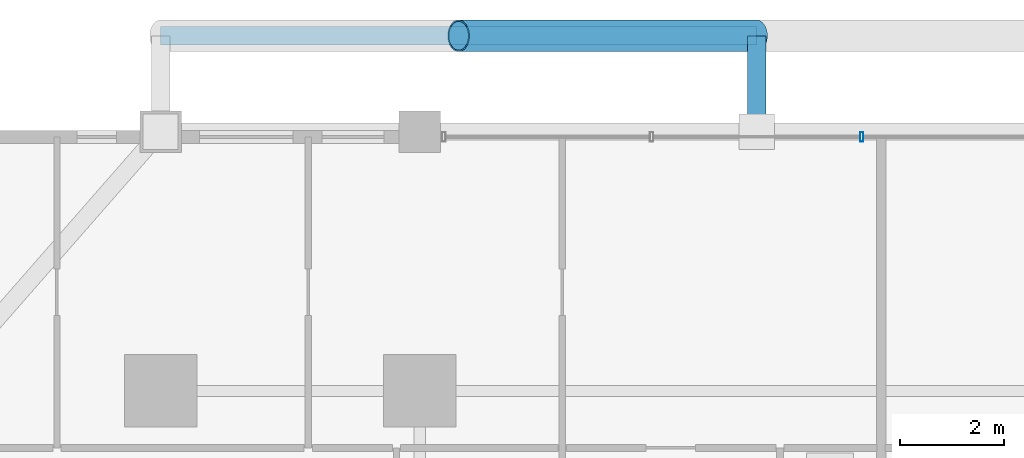
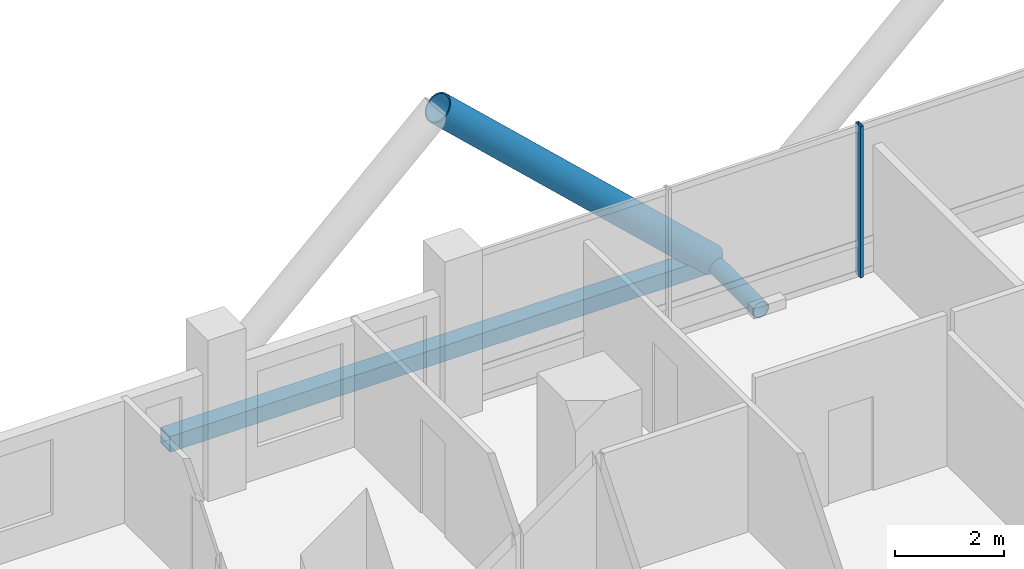
# One storey, part 16 of 27: 4 members, 1 element without a shape of its own.
"""IFC4 building model written with IfcOpenShell, lengths in metres."""

import ifcopenshell
import ifcopenshell.guid

model = None  # the IFC model being written
_history = None  # IfcOwnerHistory: only IFC2X3 demands one
_inside = {}  # id of a spatial element -> (the spatial element, [elements in it])
_under = {}  # id of a project, library or spatial element -> (it, [spatial elements below it])
_declared = {}  # id of a project -> (the project, [libraries it declares])
_typed = {}  # id of a type object -> (the type object, [elements of that type])
_made_of = {}  # id of a material, layer set ... -> (it, [elements and type objects made of it])


def new_model(schema):
    """Start an empty IFC model of exactly this schema.

    Asked for "IFC4X3", IfcOpenShell would pick the latest addendum, in which some entities
    have other attributes; the version numbers below select the first issue.
    IFC2X3 requires an IfcOwnerHistory on every rooted entity: one is made here for all.
    """
    global model, _history
    if schema == "IFC4X3":
        model = ifcopenshell.file(schema_version=(4, 3, 0, 0))
    else:
        model = ifcopenshell.file(schema=schema)
    _inside.clear()
    _under.clear()
    _declared.clear()
    _typed.clear()
    _made_of.clear()
    _history = None
    if model.schema == "IFC2X3":
        org = make("IfcOrganization", Name="unknown")
        user = make(
            "IfcPersonAndOrganization",
            ThePerson=make("IfcPerson", FamilyName="unknown"),
            TheOrganization=org,
        )
        app = make(
            "IfcApplication",
            ApplicationDeveloper=org,
            Version="unknown",
            ApplicationFullName="unknown",
            ApplicationIdentifier="unknown",
        )
        _history = make(
            "IfcOwnerHistory",
            OwningUser=user,
            OwningApplication=app,
            ChangeAction="ADDED",
            CreationDate=0,
        )
    return model


def make(cls, **values):
    """One entity of the class cls with the attributes given. An attribute that is None is left unset."""
    return model.create_entity(
        cls, **{name: value for name, value in values.items() if value is not None}
    )


def rooted(cls, **values):
    """An entity with a GlobalId (a new one), such as an element, a storey or a relation."""
    return make(cls, GlobalId=ifcopenshell.guid.new(), OwnerHistory=_history, **values)


def si_unit(unit_type, name, prefix=None):
    """IfcSIUnit, for example si_unit("LENGTHUNIT", "METRE", prefix="MILLI")."""
    return make("IfcSIUnit", UnitType=unit_type, Prefix=prefix, Name=name)


def assignment(units):
    """IfcUnitAssignment: the units of a project."""
    return None if units is None else make("IfcUnitAssignment", Units=units)


def point(xyz):
    """IfcCartesianPoint."""
    return None if xyz is None else make("IfcCartesianPoint", Coordinates=xyz)


def direction(xyz):
    """IfcDirection."""
    return None if xyz is None else make("IfcDirection", DirectionRatios=xyz)


def frame(location, z_axis=None, x_axis=None):
    """IfcAxis2Placement3D, a coordinate frame: its origin and axes. An axis left out is left unset."""
    return make(
        "IfcAxis2Placement3D",
        Location=point(location),
        Axis=direction(z_axis),
        RefDirection=direction(x_axis),
    )


def frame_2d(location, x_axis=None):
    """IfcAxis2Placement2D, a coordinate frame in the plane: its origin and x axis."""
    return make(
        "IfcAxis2Placement2D", Location=point(location), RefDirection=direction(x_axis)
    )


def origin():
    """The frame at (0, 0, 0) with its axes left unset."""
    return frame((0.0, 0.0, 0.0))


def origin_2d():
    """The frame at (0, 0) in the plane with its x axis left unset."""
    return frame_2d((0.0, 0.0))


def place(relative_to, where):
    """IfcLocalPlacement: puts the frame where relative to a parent placement (None: the world)."""
    return make(
        "IfcLocalPlacement", PlacementRelTo=relative_to, RelativePlacement=where
    )


def context(
    kind, dimensions, precision=None, world=None, true_north=None, identifier=None
):
    """IfcGeometricRepresentationContext, for example the 3D "Model" context."""
    return make(
        "IfcGeometricRepresentationContext",
        ContextIdentifier=identifier,
        ContextType=kind,
        CoordinateSpaceDimension=dimensions,
        Precision=precision,
        WorldCoordinateSystem=world,
        TrueNorth=true_north,
    )


def subcontext(parent, identifier, kind, view, scale=None):
    """IfcGeometricRepresentationSubContext, for example "Body" below "Model"."""
    return make(
        "IfcGeometricRepresentationSubContext",
        ContextIdentifier=identifier,
        ContextType=kind,
        ParentContext=parent,
        TargetScale=scale,
        TargetView=view,
    )


def project(units=None, contexts=None):
    """IfcProject with its units and contexts."""
    return rooted(
        "IfcProject",
        Name="project",
        RepresentationContexts=contexts,
        UnitsInContext=assignment(units),
    )


def spatial(cls, under=None, at=None, **own):
    """A site, building, storey or space (cls), placed at a placement, below another one or the project."""
    s = rooted(cls, ObjectPlacement=at, **own)
    if under is not None:
        _under.setdefault(under.id(), (under, []))[1].append(s)
    return s


def profile(cls, at=None, kind="AREA", **sizes):
    """A parametric profile (cls). Its sizes go by their IFC names, for example OverallWidth=200.0."""
    return make(cls, ProfileType=kind, Position=at, **sizes)


def hollow_rectangle(**sizes):
    """IfcRectangleHollowProfileDef."""
    return profile("IfcRectangleHollowProfileDef", **sizes)


def hollow_circle(**sizes):
    """IfcCircleHollowProfileDef."""
    return profile("IfcCircleHollowProfileDef", **sizes)


def extrude(swept, where, along, depth):
    """IfcExtrudedAreaSolid: the profile swept, set in the frame where, extruded along a direction by depth."""
    return make(
        "IfcExtrudedAreaSolid",
        SweptArea=swept,
        Position=where,
        ExtrudedDirection=direction(along),
        Depth=depth,
    )


def shape(context_of_items, identifier, shape_type, items):
    """IfcShapeRepresentation: the items that make up one representation, for example the "Body"."""
    return make(
        "IfcShapeRepresentation",
        ContextOfItems=context_of_items,
        RepresentationIdentifier=identifier,
        RepresentationType=shape_type,
        Items=items,
    )


def material(Name=None, Category=None):
    """IfcMaterial."""
    return make("IfcMaterial", Name=Name, Category=Category)


def layer(
    of_material, thickness, ventilated=None, Name=None, Category=None, Priority=None
):
    """IfcMaterialLayer: one layer of a wall or slab, of a material (None: an air gap)."""
    return make(
        "IfcMaterialLayer",
        Material=of_material,
        LayerThickness=thickness,
        IsVentilated=ventilated,
        Name=Name,
        Category=Category,
        Priority=Priority,
    )


def layer_set(layers, Name=None):
    """IfcMaterialLayerSet."""
    return make("IfcMaterialLayerSet", MaterialLayers=layers, LayerSetName=Name)


def material_profile(
    of_material, cross_section, Name=None, Category=None, Priority=None
):
    """IfcMaterialProfile: a cross section and its material."""
    return make(
        "IfcMaterialProfile",
        Name=Name,
        Material=of_material,
        Profile=cross_section,
        Priority=Priority,
        Category=Category,
    )


def profile_set(profiles, Name=None, composite=None):
    """IfcMaterialProfileSet."""
    return make(
        "IfcMaterialProfileSet",
        Name=Name,
        MaterialProfiles=profiles,
        CompositeProfile=composite,
    )


def made_of(thing, what):
    """Note that an element or type object is made of a material, layer set ...; save() writes the relation."""
    if what is not None:
        _made_of.setdefault(what.id(), (what, []))[1].append(thing)
    return thing


def type_object(cls, material=None, **own):
    """A type object (cls), such as IfcWallType, which elements share."""
    return made_of(rooted(cls, **own), material)


def element(
    cls,
    number,
    at=None,
    inside=None,
    cuts=None,
    type_object=None,
    material=None,
    context=None,
    identifier="Body",
    shape_type=None,
    held_by="IfcProductDefinitionShape",
    body=None,
    shapes=None,
    **own,
):
    """One element of the class cls, such as IfcWall. Its Tag is "e" and its number.

    at: its placement. inside: the storey or other place that contains it. cuts: it is an
    opening in that element (IfcRelVoidsElement). A single representation is given by context,
    identifier, shape_type and body (its items); several are given by shapes. held_by: the class
    of the entity that holds the representations. save() writes the other relations.
    """
    e = rooted(cls, Tag="e%d" % number, ObjectPlacement=at, **own)
    if body is not None:
        shapes = [shape(context, identifier, shape_type, body)]
    if shapes is not None:
        e.Representation = make(held_by, Representations=shapes)
    if inside is not None:
        _inside.setdefault(inside.id(), (inside, []))[1].append(e)
    if cuts is not None:
        rooted(
            "IfcRelVoidsElement", RelatingBuildingElement=cuts, RelatedOpeningElement=e
        )
    if type_object is not None:
        _typed.setdefault(type_object.id(), (type_object, []))[1].append(e)
    return made_of(e, material)


def aggregate(whole, parts):
    """IfcRelAggregates: a whole, such as a stair, and the parts it consists of."""
    return rooted("IfcRelAggregates", RelatingObject=whole, RelatedObjects=parts)


def save(model, path):
    """Write the relations noted so far, then the file.

    IfcRelAggregates (storeys below a building ...), IfcRelContainedInSpatialStructure (elements
    in a storey), IfcRelDefinesByType, IfcRelAssociatesMaterial and IfcRelDeclares: one each for
    every whole, place, type object, material and project.
    """
    for whole, parts in _under.values():
        aggregate(whole, parts)
    for where, things in _inside.values():
        rooted(
            "IfcRelContainedInSpatialStructure",
            RelatedElements=things,
            RelatingStructure=where,
        )
    for kind, things in _typed.values():
        rooted("IfcRelDefinesByType", RelatedObjects=things, RelatingType=kind)
    for what, things in _made_of.values():
        rooted("IfcRelAssociatesMaterial", RelatedObjects=things, RelatingMaterial=what)
    for by, libraries in _declared.values():
        rooted("IfcRelDeclares", RelatingContext=by, RelatedDefinitions=libraries)
    model.write(path)


model = new_model("IFC4")

# Units and contexts
model_context = context("Model", 3, precision=1e-05, world=origin(), true_north=direction((0.0, 1.0)))
body_context = subcontext(model_context, "Body", "Model", "MODEL_VIEW")
ifc_project = project(units=[si_unit("LENGTHUNIT", "METRE"), si_unit("AREAUNIT", "SQUARE_METRE"), si_unit("VOLUMEUNIT", "CUBIC_METRE"), si_unit("PLANEANGLEUNIT", "RADIAN"), si_unit("MASSUNIT", "GRAM", prefix="KILO")], contexts=[model_context])

# Site, building, storey
site_placement = place(None, origin())
site = spatial("IfcSite", under=ifc_project, at=site_placement, CompositionType="ELEMENT")
building_placement = place(site_placement, origin())
building = spatial("IfcBuilding", under=site, at=building_placement, Name="Barlavira Tower and Art Museum", CompositionType="ELEMENT")
storey_placement = place(building_placement, frame((0.0, 0.0, 61.199951171875)))
storey = spatial("IfcBuildingStorey", under=building, at=storey_placement, Name="L14", CompositionType="ELEMENT", Elevation=61.199951171875)

# Curtain wall, member
ifc_material_1 = material(Name="Low-iron coastal laminated glass", Category="glass")
ifc_layer = layer(ifc_material_1, 0.179931640625, Name="Low-iron coastal laminated glass")
ifc_layer_set = layer_set([ifc_layer], Name="Low-iron coastal laminated glass")
curtain_wall_type = type_object("IfcCurtainWallType", Name="Pale-Metal Unitised Curtain Wall Zone 1", PredefinedType="NOTDEFINED", material=ifc_layer_set)
curtain_wall_placement = place(storey_placement, origin())
curtain_wall = element("IfcCurtainWall", 1, at=curtain_wall_placement, inside=storey, type_object=curtain_wall_type, Name="L14 Curtain Wall CW1-L14-N-B3", PredefinedType="NOTDEFINED")
ifc_material_2 = material(Name="Pale anodised aluminium", Category="aluminium")
ifc_material_profile_1 = material_profile(ifc_material_2, hollow_rectangle(XDim=0.06494140625, YDim=0.179931640625, WallThickness=0.00390625, at=origin_2d()), Name="ALU-MULL 65x180x4")
ifc_profile_set_1 = profile_set([ifc_material_profile_1], Name="Pale anodised aluminium")
member_type_1 = type_object("IfcMemberType", Name="Curtain Wall Pale-Metal Mullion 65x180", PredefinedType="MULLION", material=ifc_profile_set_1)
member_1_placement = place(storey_placement, frame((2.026611328125, 24.89990234375, 0.0), z_axis=(0.0, 0.0, 1.0), x_axis=(-1.0, 0.0, 0.0)))
member_1 = element("IfcMember", 2, at=member_1_placement, type_object=member_type_1, Name="CW1-L14-N-B3 Mullion 1", PredefinedType="MULLION", context=body_context, shape_type="SweptSolid", body=[
    extrude(hollow_rectangle(XDim=0.06494140625, YDim=0.179931640625, WallThickness=0.00390625, at=origin_2d()), origin(), (0.0, 0.0, 1.0), 3.380126953125),
])
aggregate(curtain_wall, [member_1])

# Members
ifc_material_3 = material(Name="Steel S355", Category="steel")
ifc_material_profile_2 = material_profile(ifc_material_3, hollow_circle(Radius=0.304931640625, WallThickness=0.028076171875, at=origin_2d()), Name="CHS 610.0x28.0")
ifc_profile_set_2 = profile_set([ifc_material_profile_2], Name="Steel S355")
member_type_2 = type_object("IfcMemberType", Name="Pale-Metal Exoskeleton Diagrid Tube CHS 610x28 Steel S355", PredefinedType="BRACE", material=ifc_profile_set_2)
member_2_placement = place(storey_placement, frame((0.0, 26.85009765625, -0.119873046875), z_axis=(-0.728950095515, 0.0, 0.684566839869), x_axis=(0.0, -1.0, 0.0)))
element("IfcMember", 3, at=member_2_placement, inside=storey, type_object=member_type_2, Name="L14 Exoskeleton Diagrid Tube N", PredefinedType="BRACE", context=body_context, shape_type="SweptSolid", body=[
    extrude(hollow_circle(Radius=0.304931640625, WallThickness=0.028076171875, at=origin_2d()), origin(), (0.0, 0.0, 1.0), 7.887939453125),
])
ifc_material_profile_3 = material_profile(ifc_material_3, hollow_rectangle(XDim=0.35009765625, YDim=0.35009765625, WallThickness=0.02001953125, at=origin_2d()), Name="SHS 350x350x20.0")
ifc_profile_set_3 = profile_set([ifc_material_profile_3], Name="Steel S355")
member_type_3 = type_object("IfcMemberType", Name="Pale-Metal Exoskeleton Ring Strut SHS 350x350x20 Steel S355", PredefinedType="STRUT", material=ifc_profile_set_3)
member_3_placement = place(storey_placement, frame((-11.5, 26.85009765625, -0.119873046875), z_axis=(1.0, 0.0, 0.0), x_axis=(0.0, 1.0, 0.0)))
element("IfcMember", 4, at=member_3_placement, inside=storey, type_object=member_type_3, Name="L14 Exoskeleton Ring Strut N", PredefinedType="STRUT", context=body_context, shape_type="SweptSolid", body=[
    extrude(hollow_rectangle(XDim=0.35009765625, YDim=0.35009765625, WallThickness=0.02001953125, at=origin_2d()), origin(), (0.0, 0.0, 1.0), 11.5),
])
ifc_material_profile_4 = material_profile(ifc_material_3, hollow_circle(Radius=0.177734375, WallThickness=0.01611328125, at=origin_2d()), Name="CHS 355.6x16.0")
ifc_profile_set_4 = profile_set([ifc_material_profile_4], Name="Steel S355")
member_type_4 = type_object("IfcMemberType", Name="Pale-Metal Exoskeleton Tie Strut CHS 356x16 Steel S355", PredefinedType="STRUT", material=ifc_profile_set_4)
member_4_placement = place(storey_placement, frame((0.0, 26.85009765625, -0.119873046875), z_axis=(0.0, -1.0, 0.0), x_axis=(1.0, 0.0, 0.0)))
element("IfcMember", 5, at=member_4_placement, inside=storey, type_object=member_type_4, Name="L14 Exoskeleton Tie Strut N2", PredefinedType="STRUT", context=body_context, shape_type="SweptSolid", body=[
    extrude(hollow_circle(Radius=0.177734375, WallThickness=0.01611328125, at=origin_2d()), origin(), (0.0, 0.0, 1.0), 1.85009765625),
])

save(model, "model.ifc")
